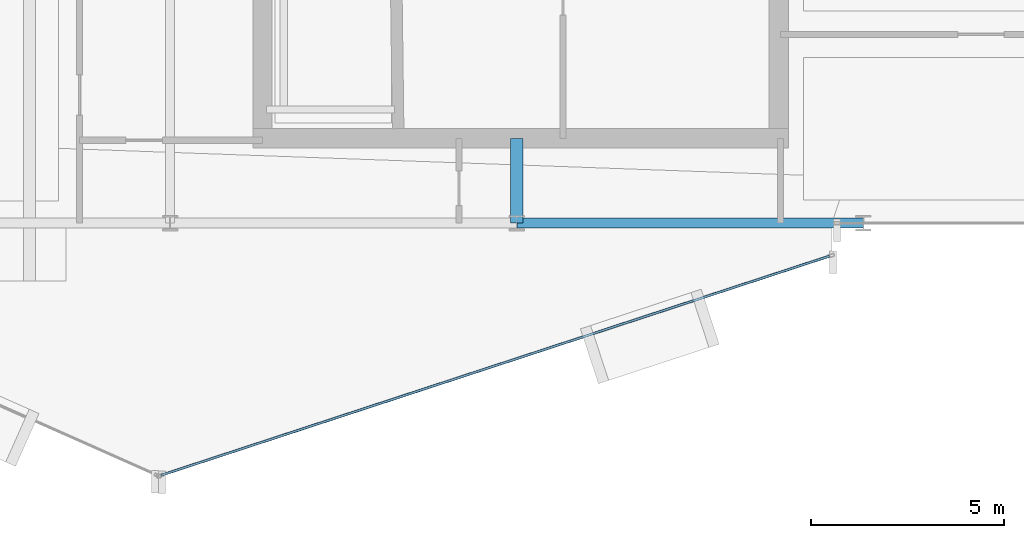
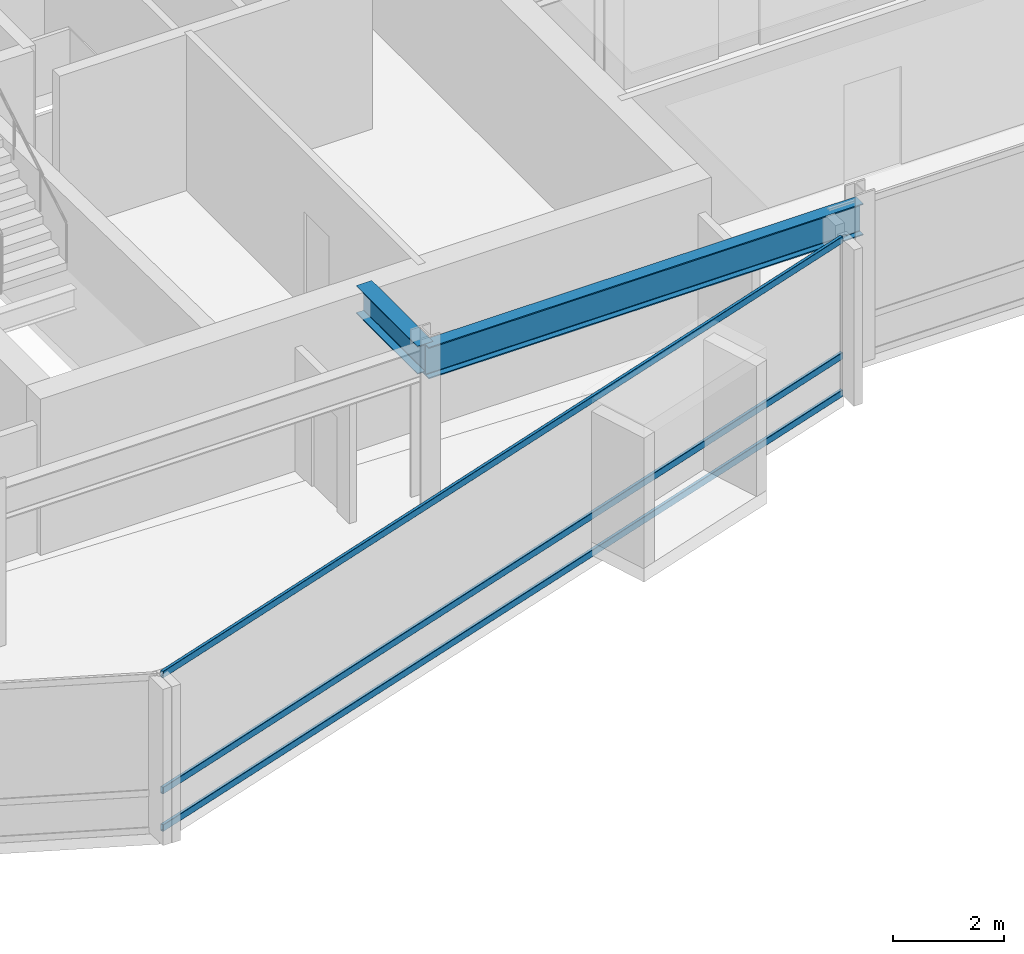
# One storey, part 9 of 28: 3 members, 2 beams, 1 element without a shape of its own.
"""IFC4 building model written with IfcOpenShell, lengths in metres."""

from ifc_helpers import new_model, si_unit, direction, frame, origin, origin_2d, place, context, subcontext, project, spatial, hollow_rectangle, i_section, extrude, material, layer, layer_set, material_profile, profile_set, type_object, element, aggregate, save


model = new_model("IFC4")

# Units and contexts
model_context = context("Model", 3, precision=1e-05, world=origin(), true_north=direction((0.0, 1.0)))
body_context = subcontext(model_context, "Body", "Model", "MODEL_VIEW")
ifc_project = project(units=[si_unit("LENGTHUNIT", "METRE"), si_unit("AREAUNIT", "SQUARE_METRE"), si_unit("VOLUMEUNIT", "CUBIC_METRE"), si_unit("PLANEANGLEUNIT", "RADIAN"), si_unit("MASSUNIT", "GRAM", prefix="KILO")], contexts=[model_context])

# Site, building, storey
site_placement = place(None, origin())
site = spatial("IfcSite", under=ifc_project, at=site_placement, CompositionType="ELEMENT")
building_placement = place(site_placement, origin())
building = spatial("IfcBuilding", under=site, at=building_placement, Name="Solvaryn Broadcast Tower", CompositionType="ELEMENT")
storey_placement = place(building_placement, frame((0.0, 0.0, 209.89990234375)))
storey = spatial("IfcBuildingStorey", under=building, at=storey_placement, Name="L52", CompositionType="ELEMENT", Elevation=209.89990234375)

# Beams
ifc_material_1 = material(Name="Steel ASTM A992 Grade 50", Category="steel")
ifc_material_profile_1 = material_profile(ifc_material_1, i_section(OverallWidth=0.323974609375, OverallDepth=0.611083984375, WebThickness=0.0126953125, FlangeThickness=0.01904296875, FilletRadius=0.014892578125, at=origin_2d()))
ifc_profile_set_1 = profile_set([ifc_material_profile_1], Name="Steel ASTM A992 Grade 50")
beam_type_1 = type_object("IfcBeamType", Name="BM-B1-W24X104", PredefinedType="BEAM", material=ifc_profile_set_1)
beam_1_placement = place(storey_placement, frame((36.0, 9.0, 3.114501953125), z_axis=(0.0, 1.0, 0.0), x_axis=(-1.0, 0.0, 0.0)))
element("IfcBeam", 1, at=beam_1_placement, inside=storey, type_object=beam_type_1, Name="L52 Core Tie Beam CTE1", PredefinedType="BEAM", context=body_context, shape_type="SweptSolid", body=[
    extrude(i_section(OverallWidth=0.323974609375, OverallDepth=0.611083984375, WebThickness=0.0126953125, FlangeThickness=0.01904296875, FilletRadius=0.014892578125, at=origin_2d()), origin(), (0.0, 0.0, 1.0), 2.199951171875),
])
ifc_material_2 = material(Name="Steel ASTM A992 Grade 50", Category="steel")
ifc_material_profile_2 = material_profile(ifc_material_2, i_section(OverallWidth=0.256103515625, OverallDepth=0.693115234375, WebThickness=0.014404296875, FlangeThickness=0.023681640625, FilletRadius=0.01611328125, at=origin_2d()))
ifc_profile_set_2 = profile_set([ifc_material_profile_2], Name="Steel ASTM A992 Grade 50")
beam_type_2 = type_object("IfcBeamType", Name="BM-SP3-W27X114", PredefinedType="USERDEFINED", material=ifc_profile_set_2)
beam_2_placement = place(storey_placement, frame((36.0, 9.0, 3.073486328125), z_axis=(1.0, 0.0, 0.0), x_axis=(0.0, 1.0, 0.0)))
element("IfcBeam", 2, at=beam_2_placement, inside=storey, type_object=beam_type_2, Name="L52 Spandrel Beam X (36-45 @ Y=9)", ObjectType="SPANDREL", PredefinedType="USERDEFINED", context=body_context, shape_type="SweptSolid", body=[
    extrude(i_section(OverallWidth=0.256103515625, OverallDepth=0.693115234375, WebThickness=0.014404296875, FlangeThickness=0.023681640625, FilletRadius=0.01611328125, at=origin_2d()), origin(), (0.0, 0.0, 1.0), 9.0),
])

# Curtain wall, members
ifc_material_3 = material(Name="Aluminium and Terracotta Unitised Curtain Wall", Category="masonry")
ifc_layer = layer(ifc_material_3, 0.199951171875)
ifc_layer_set = layer_set([ifc_layer], Name="CW-SYS2-LOWMID")
curtain_wall_type = type_object("IfcCurtainWallType", Name="CW-SYS2-LOWMID", PredefinedType="NOTDEFINED", material=ifc_layer_set)
curtain_wall_placement = place(storey_placement, origin())
curtain_wall = element("IfcCurtainWall", 3, at=curtain_wall_placement, inside=storey, type_object=curtain_wall_type, Name="L52 Curtain Wall DR4", PredefinedType="NOTDEFINED")
ifc_material_4 = material(Name="Anodised Aluminium 6063-T6", Category="aluminium")
ifc_material_profile_3 = material_profile(ifc_material_4, hollow_rectangle(XDim=0.06494140625, YDim=0.14990234375, WallThickness=0.00390625, InnerFilletRadius=0.00390625, OuterFilletRadius=0.008056640625, at=origin_2d()))
ifc_profile_set_3 = profile_set([ifc_material_profile_3], Name="Anodised Aluminium 6063-T6")
member_type = type_object("IfcMemberType", Name="CW-TRN-150", PredefinedType="USERDEFINED", material=ifc_profile_set_3)
member_1_placement = place(storey_placement, frame((26.762939453125, 2.45166015625, 0.030029296875), z_axis=(0.950227141586, 0.311557987209, 0.0), x_axis=(-0.311557987209, 0.950227141586, 0.0)))
member_1 = element("IfcMember", 4, at=member_1_placement, type_object=member_type, Name="CWS2 transom 1.1", ObjectType="TRANSOM", PredefinedType="USERDEFINED", context=body_context, shape_type="SweptSolid", body=[
    extrude(hollow_rectangle(XDim=0.06494140625, YDim=0.14990234375, WallThickness=0.00390625, InnerFilletRadius=0.00390625, OuterFilletRadius=0.008056640625, at=origin_2d()), origin(), (0.0, 0.0, 1.0), 18.271484375),
])
member_2_placement = place(storey_placement, frame((26.762939453125, 2.45166015625, 0.85009765625), z_axis=(0.950227141586, 0.311557987209, 0.0), x_axis=(-0.311557987209, 0.950227141586, 0.0)))
member_2 = element("IfcMember", 5, at=member_2_placement, type_object=member_type, Name="CWS2 transom 1.2", ObjectType="TRANSOM", PredefinedType="USERDEFINED", context=body_context, shape_type="SweptSolid", body=[
    extrude(hollow_rectangle(XDim=0.06494140625, YDim=0.14990234375, WallThickness=0.00390625, InnerFilletRadius=0.00390625, OuterFilletRadius=0.008056640625, at=origin_2d()), origin(), (0.0, 0.0, 1.0), 18.271484375),
])
member_3_placement = place(storey_placement, frame((26.762939453125, 2.45166015625, 3.39013671875), z_axis=(0.950227141586, 0.311557987209, 0.0), x_axis=(-0.311557987209, 0.950227141586, 0.0)))
member_3 = element("IfcMember", 6, at=member_3_placement, type_object=member_type, Name="CWS2 transom 1.3", ObjectType="TRANSOM", PredefinedType="USERDEFINED", context=body_context, shape_type="SweptSolid", body=[
    extrude(hollow_rectangle(XDim=0.06494140625, YDim=0.14990234375, WallThickness=0.00390625, InnerFilletRadius=0.00390625, OuterFilletRadius=0.008056640625, at=origin_2d()), origin(), (0.0, 0.0, 1.0), 18.271484375),
])
aggregate(curtain_wall, [member_1, member_2, member_3])

save(model, "model.ifc")
